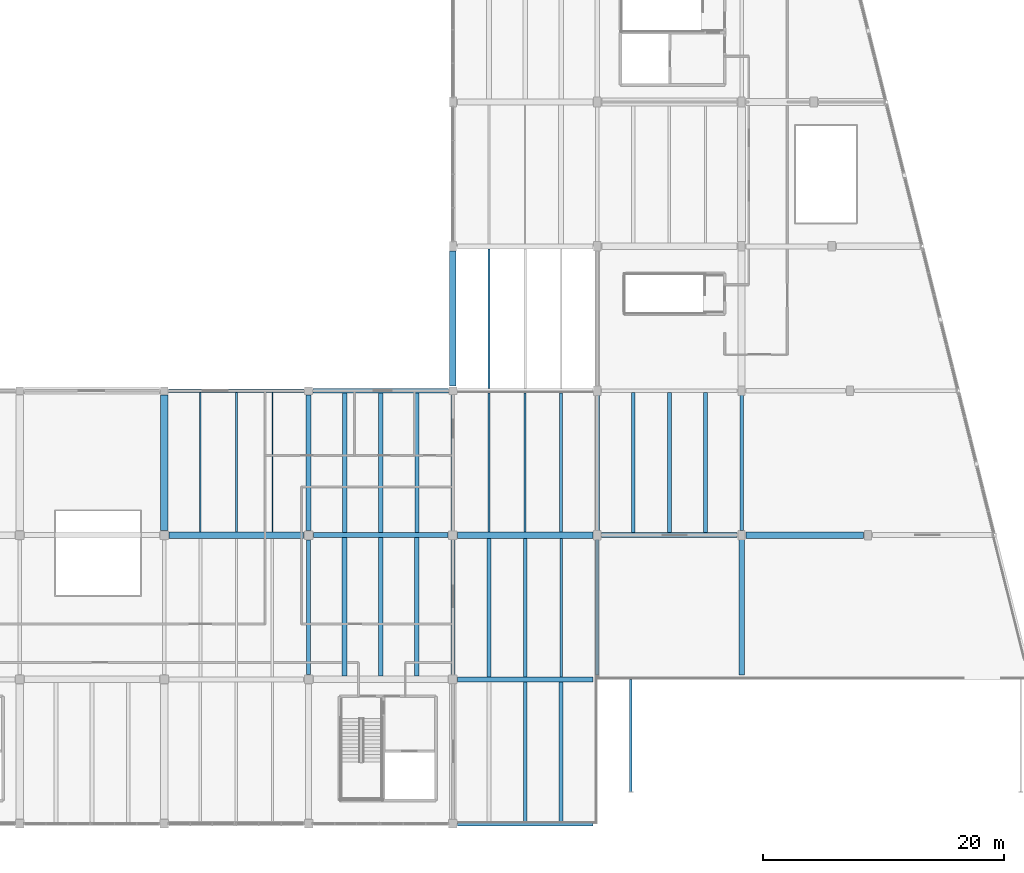
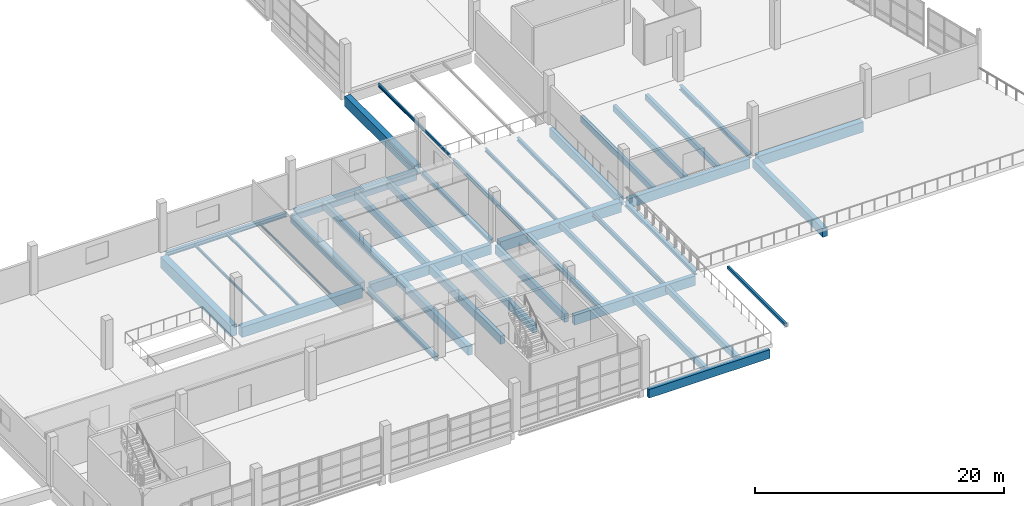
# One storey, part 17 of 49: 40 beams, 1 member.
"""IFC4 building model written with IfcOpenShell, lengths in metres."""

from ifc_helpers import new_model, si_unit, direction, frame, origin, origin_2d, place, context, subcontext, project, spatial, rectangle, hollow_rectangle, i_section, extrude, material, material_profile, profile_set, type_object, element, save


model = new_model("IFC4")

# Units and contexts
model_context = context("Model", 3, precision=1e-05, world=origin(), true_north=direction((0.0, 1.0)))
body_context = subcontext(model_context, "Body", "Model", "MODEL_VIEW")
ifc_project = project(units=[si_unit("LENGTHUNIT", "METRE"), si_unit("AREAUNIT", "SQUARE_METRE"), si_unit("VOLUMEUNIT", "CUBIC_METRE"), si_unit("PLANEANGLEUNIT", "RADIAN"), si_unit("MASSUNIT", "GRAM", prefix="KILO")], contexts=[model_context])

# Site, building, storey
site_placement = place(None, origin())
site = spatial("IfcSite", under=ifc_project, at=site_placement, CompositionType="ELEMENT")
building_placement = place(site_placement, origin())
building = spatial("IfcBuilding", under=site, at=building_placement, Name="Kamomehara Wholesale Market", CompositionType="ELEMENT")
storey_placement = place(building_placement, frame((0.0, 0.0, 11.39990234375)))
storey = spatial("IfcBuildingStorey", under=building, at=storey_placement, Name="L02", CompositionType="ELEMENT", Elevation=11.39990234375)

# Beams
ifc_material_1 = material(Name="Precast concrete Fc45 (C40/50)", Category="concrete")
ifc_material_profile_1 = material_profile(ifc_material_1, rectangle(XDim=0.60009765625, YDim=1.10009765625, at=origin_2d()), Name="PC-GRD-600x1100")
ifc_profile_set_1 = profile_set([ifc_material_profile_1], Name="Precast concrete Fc45 (C40/50)")
beam_type_1 = type_object("IfcBeamType", Name="BM-PG1100", PredefinedType="T_BEAM", material=ifc_profile_set_1)
beam_1_placement = place(storey_placement, frame((132.0, 36.39990234375, -0.891845703125), z_axis=(0.0, 1.0, 0.0), x_axis=(-1.0, 0.0, 0.0)))
element("IfcBeam", 1, at=beam_1_placement, inside=storey, type_object=beam_type_1, Name="Beam PG-07 L02", PredefinedType="T_BEAM", context=body_context, shape_type="SweptSolid", body=[
    extrude(rectangle(XDim=0.60009765625, YDim=1.10009765625, at=origin_2d()), origin(), (0.0, 0.0, 1.0), 11.22509765625),
])
ifc_material_2 = material(Name="Precast concrete Fc45 (C40/50)", Category="concrete")
ifc_material_profile_2 = material_profile(ifc_material_2, rectangle(XDim=0.449951171875, YDim=0.85009765625, at=origin_2d()), Name="PC-GRD-450x850")
ifc_profile_set_2 = profile_set([ifc_material_profile_2], Name="Precast concrete Fc45 (C40/50)")
beam_type_2 = type_object("IfcBeamType", Name="BM-PG850", PredefinedType="T_BEAM", material=ifc_profile_set_2)
beam_2_placement = place(storey_placement, frame((180.0, 24.35009765625, -0.761962890625), z_axis=(0.0, 1.0, 0.0), x_axis=(-1.0, 0.0, 0.0)))
element("IfcBeam", 2, at=beam_2_placement, inside=storey, type_object=beam_type_2, Name="Beam PG-11 L02", PredefinedType="T_BEAM", context=body_context, shape_type="SweptSolid", body=[
    extrude(rectangle(XDim=0.449951171875, YDim=0.85009765625, at=origin_2d()), origin(), (0.0, 0.0, 1.0), 11.27490234375),
])
beam_3_placement = place(storey_placement, frame((144.0, 36.39990234375, -0.77685546875), z_axis=(0.0, 1.0, 0.0), x_axis=(-1.0, 0.0, 0.0)))
element("IfcBeam", 3, at=beam_3_placement, inside=storey, type_object=beam_type_2, Name="Beam PG-11 L02", PredefinedType="T_BEAM", context=body_context, shape_type="SweptSolid", body=[
    extrude(rectangle(XDim=0.449951171875, YDim=0.85009765625, at=origin_2d()), origin(), (0.0, 0.0, 1.0), 11.22509765625),
])
ifc_material_3 = material(Name="Precast concrete Fc45 (C40/50)", Category="concrete")
ifc_material_profile_3 = material_profile(ifc_material_3, rectangle(XDim=0.280029296875, YDim=0.5, at=origin_2d()), Name="PC-JST-280x500")
ifc_profile_set_3 = profile_set([ifc_material_profile_3], Name="Precast concrete Fc45 (C40/50)")
beam_type_3 = type_object("IfcBeamType", Name="BM-PJ500", PredefinedType="JOIST", material=ifc_profile_set_3)
beam_4_placement = place(storey_placement, frame((162.0, 24.199951171875, -0.596923828125), z_axis=(0.0, 1.0, 0.0), x_axis=(-1.0, 0.0, 0.0)))
element("IfcBeam", 4, at=beam_4_placement, inside=storey, type_object=beam_type_3, Name="Beam PJ-11 L02", PredefinedType="JOIST", context=body_context, shape_type="SweptSolid", body=[
    extrude(rectangle(XDim=0.280029296875, YDim=0.5, at=origin_2d()), origin(), (0.0, 0.0, 1.0), 11.525146484375),
])
ifc_material_4 = material(Name="Precast concrete Fc45 (C40/50)", Category="concrete")
ifc_material_profile_4 = material_profile(ifc_material_4, rectangle(XDim=0.300048828125, YDim=0.550048828125, at=origin_2d()), Name="PC-JST-300x550")
ifc_profile_set_4 = profile_set([ifc_material_profile_4], Name="Precast concrete Fc45 (C40/50)")
beam_type_4 = type_object("IfcBeamType", Name="BM-PJ550", PredefinedType="JOIST", material=ifc_profile_set_4)
beam_5_placement = place(storey_placement, frame((159.0, 24.199951171875, -0.621826171875), z_axis=(0.0, 1.0, 0.0), x_axis=(-1.0, 0.0, 0.0)))
element("IfcBeam", 5, at=beam_5_placement, inside=storey, type_object=beam_type_4, Name="Beam PJ-06 L02", PredefinedType="JOIST", context=body_context, shape_type="SweptSolid", body=[
    extrude(rectangle(XDim=0.300048828125, YDim=0.550048828125, at=origin_2d()), origin(), (0.0, 0.0, 1.0), 11.525146484375),
])
beam_6_placement = place(storey_placement, frame((177.0, 36.199951171875, -0.616943359375), z_axis=(0.0, 1.0, 0.0), x_axis=(-1.0, 0.0, 0.0)))
element("IfcBeam", 6, at=beam_6_placement, inside=storey, type_object=beam_type_4, Name="Beam PJ-06 L02", PredefinedType="JOIST", context=body_context, shape_type="SweptSolid", body=[
    extrude(rectangle(XDim=0.300048828125, YDim=0.550048828125, at=origin_2d()), origin(), (0.0, 0.0, 1.0), 11.650146484375),
])
ifc_material_5 = material(Name="Precast concrete Fc45 (C40/50)", Category="concrete")
ifc_material_profile_5 = material_profile(ifc_material_5, rectangle(XDim=0.320068359375, YDim=0.60009765625, at=origin_2d()), Name="PC-JST-320x600")
ifc_profile_set_5 = profile_set([ifc_material_profile_5], Name="Precast concrete Fc45 (C40/50)")
beam_type_5 = type_object("IfcBeamType", Name="BM-PJ600", PredefinedType="JOIST", material=ifc_profile_set_5)
beam_7_placement = place(storey_placement, frame((165.0, 12.175048828125, -0.64697265625), z_axis=(0.0, 1.0, 0.0), x_axis=(-1.0, 0.0, 0.0)))
element("IfcBeam", 7, at=beam_7_placement, inside=storey, type_object=beam_type_5, Name="Beam PJ-05 L02", PredefinedType="JOIST", context=body_context, shape_type="SweptSolid", body=[
    extrude(rectangle(XDim=0.320068359375, YDim=0.60009765625, at=origin_2d()), origin(), (0.0, 0.0, 1.0), 11.625),
])
beam_8_placement = place(storey_placement, frame((174.0, 36.199951171875, -0.641845703125), z_axis=(0.0, 1.0, 0.0), x_axis=(-1.0, 0.0, 0.0)))
element("IfcBeam", 8, at=beam_8_placement, inside=storey, type_object=beam_type_5, Name="Beam PJ-05 L02", PredefinedType="JOIST", context=body_context, shape_type="SweptSolid", body=[
    extrude(rectangle(XDim=0.320068359375, YDim=0.60009765625, at=origin_2d()), origin(), (0.0, 0.0, 1.0), 11.650146484375),
])
ifc_material_6 = material(Name="Precast concrete Fc45 (C40/50)", Category="concrete")
ifc_material_profile_6 = material_profile(ifc_material_6, rectangle(XDim=0.300048828125, YDim=0.60009765625, at=origin_2d()), Name="PC-JST-300x600")
ifc_profile_set_6 = profile_set([ifc_material_profile_6], Name="Precast concrete Fc45 (C40/50)")
beam_type_6 = type_object("IfcBeamType", Name="BM-PJ600B", PredefinedType="JOIST", material=ifc_profile_set_6)
beam_9_placement = place(storey_placement, frame((162.0, 12.175048828125, -0.64697265625), z_axis=(0.0, 1.0, 0.0), x_axis=(-1.0, 0.0, 0.0)))
element("IfcBeam", 9, at=beam_9_placement, inside=storey, type_object=beam_type_6, Name="Beam PJ-10 L02", PredefinedType="JOIST", context=body_context, shape_type="SweptSolid", body=[
    extrude(rectangle(XDim=0.300048828125, YDim=0.60009765625, at=origin_2d()), origin(), (0.0, 0.0, 1.0), 11.625),
])
beam_10_placement = place(storey_placement, frame((171.0, 36.199951171875, -0.641845703125), z_axis=(0.0, 1.0, 0.0), x_axis=(-1.0, 0.0, 0.0)))
element("IfcBeam", 10, at=beam_10_placement, inside=storey, type_object=beam_type_6, Name="Beam PJ-10 L02", PredefinedType="JOIST", context=body_context, shape_type="SweptSolid", body=[
    extrude(rectangle(XDim=0.300048828125, YDim=0.60009765625, at=origin_2d()), origin(), (0.0, 0.0, 1.0), 11.650146484375),
])
ifc_material_7 = material(Name="Precast concrete Fc45 (C40/50)", Category="concrete")
ifc_material_profile_7 = material_profile(ifc_material_7, rectangle(XDim=0.340087890625, YDim=0.679931640625, at=origin_2d()), Name="PC-JST-340x680")
ifc_profile_set_7 = profile_set([ifc_material_profile_7], Name="Precast concrete Fc45 (C40/50)")
beam_type_7 = type_object("IfcBeamType", Name="BM-PJ680", PredefinedType="JOIST", material=ifc_profile_set_7)
beam_11_placement = place(storey_placement, frame((153.0, 36.199951171875, -0.69189453125), z_axis=(0.0, 1.0, 0.0), x_axis=(-1.0, 0.0, 0.0)))
element("IfcBeam", 11, at=beam_11_placement, inside=storey, type_object=beam_type_7, Name="Beam PJ-09 L02", PredefinedType="JOIST", context=body_context, shape_type="SweptSolid", body=[
    extrude(rectangle(XDim=0.340087890625, YDim=0.679931640625, at=origin_2d()), origin(), (0.0, 0.0, 1.0), 11.60009765625),
])
ifc_material_8 = material(Name="Precast concrete Fc45 (C40/50)", Category="concrete")
ifc_material_profile_8 = material_profile(ifc_material_8, rectangle(XDim=0.35009765625, YDim=0.699951171875, at=origin_2d()), Name="PC-JST-350x700")
ifc_profile_set_8 = profile_set([ifc_material_profile_8], Name="Precast concrete Fc45 (C40/50)")
beam_type_8 = type_object("IfcBeamType", Name="BM-PJ700", PredefinedType="JOIST", material=ifc_profile_set_8)
beam_12_placement = place(storey_placement, frame((150.0, 36.199951171875, -0.701904296875), z_axis=(0.0, 1.0, 0.0), x_axis=(-1.0, 0.0, 0.0)))
element("IfcBeam", 12, at=beam_12_placement, inside=storey, type_object=beam_type_8, Name="Beam PJ-03 L02", PredefinedType="JOIST", context=body_context, shape_type="SweptSolid", body=[
    extrude(rectangle(XDim=0.35009765625, YDim=0.699951171875, at=origin_2d()), origin(), (0.0, 0.0, 1.0), 11.60009765625),
])
ifc_material_9 = material(Name="Precast concrete Fc45 (C40/50)", Category="concrete")
ifc_material_profile_9 = material_profile(ifc_material_9, rectangle(XDim=0.360107421875, YDim=0.719970703125, at=origin_2d()), Name="PC-JST-360x720")
ifc_profile_set_9 = profile_set([ifc_material_profile_9], Name="Precast concrete Fc45 (C40/50)")
beam_type_9 = type_object("IfcBeamType", Name="BM-PJ720", PredefinedType="JOIST", material=ifc_profile_set_9)
beam_13_placement = place(storey_placement, frame((147.0, 36.199951171875, -0.7119140625), z_axis=(0.0, 1.0, 0.0), x_axis=(-1.0, 0.0, 0.0)))
element("IfcBeam", 13, at=beam_13_placement, inside=storey, type_object=beam_type_9, Name="Beam PJ-08 L02", PredefinedType="JOIST", context=body_context, shape_type="SweptSolid", body=[
    extrude(rectangle(XDim=0.360107421875, YDim=0.719970703125, at=origin_2d()), origin(), (0.0, 0.0, 1.0), 11.60009765625),
])
ifc_material_10 = material(Name="Precast concrete Fc45 (C40/50)", Category="concrete")
ifc_material_profile_10 = material_profile(ifc_material_10, rectangle(XDim=0.3798828125, YDim=0.75, at=origin_2d()), Name="PC-JST-380x750")
ifc_profile_set_10 = profile_set([ifc_material_profile_10], Name="Precast concrete Fc45 (C40/50)")
beam_type_10 = type_object("IfcBeamType", Name="BM-PJ750", PredefinedType="JOIST", material=ifc_profile_set_10)
beam_14_placement = place(storey_placement, frame((153.0, 24.27490234375, -0.726806640625), z_axis=(0.0, 1.0, 0.0), x_axis=(-1.0, 0.0, 0.0)))
element("IfcBeam", 14, at=beam_14_placement, inside=storey, type_object=beam_type_10, Name="Beam PJ-02 L02", PredefinedType="JOIST", context=body_context, shape_type="SweptSolid", body=[
    extrude(rectangle(XDim=0.3798828125, YDim=0.75, at=origin_2d()), origin(), (0.0, 0.0, 1.0), 11.525146484375),
])
ifc_material_11 = material(Name="Precast concrete Fc45 (C40/50)", Category="concrete")
ifc_material_profile_11 = material_profile(ifc_material_11, rectangle(XDim=0.39990234375, YDim=0.800048828125, at=origin_2d()), Name="PC-JST-400x800")
ifc_profile_set_11 = profile_set([ifc_material_profile_11], Name="Precast concrete Fc45 (C40/50)")
beam_type_11 = type_object("IfcBeamType", Name="BM-PJ800", PredefinedType="JOIST", material=ifc_profile_set_11)
beam_15_placement = place(storey_placement, frame((150.0, 24.27490234375, -0.751953125), z_axis=(0.0, 1.0, 0.0), x_axis=(-1.0, 0.0, 0.0)))
element("IfcBeam", 15, at=beam_15_placement, inside=storey, type_object=beam_type_11, Name="Beam PJ-01 L02", PredefinedType="JOIST", context=body_context, shape_type="SweptSolid", body=[
    extrude(rectangle(XDim=0.39990234375, YDim=0.800048828125, at=origin_2d()), origin(), (0.0, 0.0, 1.0), 11.525146484375),
])
ifc_material_12 = material(Name="Precast concrete Fc45 (C40/50)", Category="concrete")
ifc_material_profile_12 = material_profile(ifc_material_12, rectangle(XDim=0.419921875, YDim=0.840087890625, at=origin_2d()), Name="PC-JST-420x840")
ifc_profile_set_12 = profile_set([ifc_material_profile_12], Name="Precast concrete Fc45 (C40/50)")
beam_type_12 = type_object("IfcBeamType", Name="BM-PJ840", PredefinedType="JOIST", material=ifc_profile_set_12)
beam_16_placement = place(storey_placement, frame((147.0, 24.27490234375, -0.77197265625), z_axis=(0.0, 1.0, 0.0), x_axis=(-1.0, 0.0, 0.0)))
element("IfcBeam", 16, at=beam_16_placement, inside=storey, type_object=beam_type_12, Name="Beam PJ-07 L02", PredefinedType="JOIST", context=body_context, shape_type="SweptSolid", body=[
    extrude(rectangle(XDim=0.419921875, YDim=0.840087890625, at=origin_2d()), origin(), (0.0, 0.0, 1.0), 11.525146484375),
])
ifc_material_13 = material(Name="Concrete Fc36 (C35/45)", Category="concrete")
ifc_material_profile_13 = material_profile(ifc_material_13, rectangle(XDim=0.550048828125, YDim=1.0, at=origin_2d()), Name="RC-SEB-550x1000")
ifc_profile_set_13 = profile_set([ifc_material_profile_13], Name="Concrete Fc36 (C35/45)")
beam_type_13 = type_object("IfcBeamType", Name="BM-SEB1000-EXT", PredefinedType="SPANDREL", material=ifc_profile_set_13)
beam_17_placement = place(storey_placement, frame((132.39990234375, 36.0, -0.841796875), z_axis=(1.0, 0.0, 0.0), x_axis=(0.0, 1.0, 0.0)))
element("IfcBeam", 17, at=beam_17_placement, inside=storey, type_object=beam_type_13, Name="Beam SEB-03E L02", PredefinedType="SPANDREL", context=body_context, shape_type="SweptSolid", body=[
    extrude(rectangle(XDim=0.550048828125, YDim=1.0, at=origin_2d()), origin(), (0.0, 0.0, 1.0), 11.2001953125),
])
beam_18_placement = place(storey_placement, frame((156.39990234375, 36.0, -0.846923828125), z_axis=(1.0, 0.0, 0.0), x_axis=(0.0, 1.0, 0.0)))
element("IfcBeam", 18, at=beam_18_placement, inside=storey, type_object=beam_type_13, Name="Beam SEB-03E L02", PredefinedType="SPANDREL", context=body_context, shape_type="SweptSolid", body=[
    extrude(rectangle(XDim=0.550048828125, YDim=1.0, at=origin_2d()), origin(), (0.0, 0.0, 1.0), 11.25),
])
beam_19_placement = place(storey_placement, frame((180.375, 36.0, -0.841796875), z_axis=(1.0, 0.0, 0.0), x_axis=(0.0, 1.0, 0.0)))
element("IfcBeam", 19, at=beam_19_placement, inside=storey, type_object=beam_type_13, Name="Beam SEB-03E L02", PredefinedType="SPANDREL", context=body_context, shape_type="SweptSolid", body=[
    extrude(rectangle(XDim=0.550048828125, YDim=1.0, at=origin_2d()), origin(), (0.0, 0.0, 1.0), 9.75),
])
beam_20_placement = place(storey_placement, frame((156.0, 48.375, -0.760009765625), z_axis=(0.0, 1.0, 0.0), x_axis=(-1.0, 0.0, 0.0)))
element("IfcBeam", 20, at=beam_20_placement, inside=storey, type_object=beam_type_13, Name="Beam SEB-03E L02", PredefinedType="SPANDREL", context=body_context, shape_type="SweptSolid", body=[
    extrude(rectangle(XDim=0.550048828125, YDim=1.0, at=origin_2d()), origin(), (0.0, 0.0, 1.0), 11.25),
])
ifc_material_14 = material(Name="Precast concrete Fc45 (C40/50)", Category="concrete")
ifc_material_profile_14 = material_profile(ifc_material_14, rectangle(XDim=0.35009765625, YDim=0.85009765625, at=origin_2d()), Name="PC-SPN-350x850")
ifc_profile_set_14 = profile_set([ifc_material_profile_14], Name="Precast concrete Fc45 (C40/50)")
beam_type_14 = type_object("IfcBeamType", Name="BM-SPN850-EXT", PredefinedType="SPANDREL", material=ifc_profile_set_14)
beam_21_placement = place(storey_placement, frame((156.39990234375, 12.0, -0.77197265625), z_axis=(1.0, 0.0, 0.0), x_axis=(0.0, 1.0, 0.0)))
element("IfcBeam", 21, at=beam_21_placement, inside=storey, type_object=beam_type_14, Name="Beam SPN-02E L02", PredefinedType="SPANDREL", context=body_context, shape_type="SweptSolid", body=[
    extrude(rectangle(XDim=0.35009765625, YDim=0.85009765625, at=origin_2d()), origin(), (0.0, 0.0, 1.0), 11.25),
])
beam_22_placement = place(storey_placement, frame((156.0, 24.39990234375, -0.77685546875), z_axis=(0.0, 1.0, 0.0), x_axis=(-1.0, 0.0, 0.0)))
element("IfcBeam", 22, at=beam_22_placement, inside=storey, type_object=beam_type_14, Name="Beam SPN-02E L02", PredefinedType="SPANDREL", context=body_context, shape_type="SweptSolid", body=[
    extrude(rectangle(XDim=0.35009765625, YDim=0.85009765625, at=origin_2d()), origin(), (0.0, 0.0, 1.0), 11.2001953125),
])
beam_23_placement = place(storey_placement, frame((168.0, 36.35009765625, -0.77197265625), z_axis=(0.0, 1.0, 0.0), x_axis=(-1.0, 0.0, 0.0)))
element("IfcBeam", 23, at=beam_23_placement, inside=storey, type_object=beam_type_14, Name="Beam SPN-02E L02", PredefinedType="SPANDREL", context=body_context, shape_type="SweptSolid", body=[
    extrude(rectangle(XDim=0.35009765625, YDim=0.85009765625, at=origin_2d()), origin(), (0.0, 0.0, 1.0), 11.2998046875),
])
ifc_material_15 = material(Name="Precast concrete Fc45 (C40/50)", Category="concrete")
ifc_material_profile_15 = material_profile(ifc_material_15, rectangle(XDim=0.39990234375, YDim=0.949951171875, at=origin_2d()), Name="PC-SPN-400x950")
ifc_profile_set_15 = profile_set([ifc_material_profile_15], Name="Precast concrete Fc45 (C40/50)")
beam_type_15 = type_object("IfcBeamType", Name="BM-SPN950-EXT", PredefinedType="SPANDREL", material=ifc_profile_set_15)
beam_24_placement = place(storey_placement, frame((156.39990234375, 24.0, -0.822021484375), z_axis=(1.0, 0.0, 0.0), x_axis=(0.0, 1.0, 0.0)))
element("IfcBeam", 24, at=beam_24_placement, inside=storey, type_object=beam_type_15, Name="Beam SPN-01E L02", PredefinedType="SPANDREL", context=body_context, shape_type="SweptSolid", body=[
    extrude(rectangle(XDim=0.39990234375, YDim=0.949951171875, at=origin_2d()), origin(), (0.0, 0.0, 1.0), 11.25),
])
beam_25_placement = place(storey_placement, frame((144.39990234375, 36.0, -0.826904296875), z_axis=(1.0, 0.0, 0.0), x_axis=(0.0, 1.0, 0.0)))
element("IfcBeam", 25, at=beam_25_placement, inside=storey, type_object=beam_type_15, Name="Beam SPN-01E L02", PredefinedType="SPANDREL", context=body_context, shape_type="SweptSolid", body=[
    extrude(rectangle(XDim=0.39990234375, YDim=0.949951171875, at=origin_2d()), origin(), (0.0, 0.0, 1.0), 11.2001953125),
])
beam_26_placement = place(storey_placement, frame((168.35009765625, 36.0, -0.81689453125), z_axis=(1.0, 0.0, 0.0), x_axis=(0.0, 1.0, 0.0)))
element("IfcBeam", 26, at=beam_26_placement, inside=storey, type_object=beam_type_15, Name="Beam SPN-01E L02", PredefinedType="SPANDREL", context=body_context, shape_type="SweptSolid", body=[
    extrude(rectangle(XDim=0.39990234375, YDim=0.949951171875, at=origin_2d()), origin(), (0.0, 0.0, 1.0), 11.27490234375),
])
beam_27_placement = place(storey_placement, frame((144.375, 48.0, -0.826904296875), z_axis=(1.0, 0.0, 0.0), x_axis=(0.0, 1.0, 0.0)))
element("IfcBeam", 27, at=beam_27_placement, inside=storey, type_object=beam_type_15, Name="Beam SPN-01E L02", PredefinedType="SPANDREL", context=body_context, shape_type="SweptSolid", body=[
    extrude(rectangle(XDim=0.39990234375, YDim=0.949951171875, at=origin_2d()), origin(), (0.0, 0.0, 1.0), 11.25),
])
ifc_material_16 = material(Name="Steel SN400B", Category="steel")
ifc_material_profile_16 = material_profile(ifc_material_16, i_section(OverallWidth=0.10009765625, OverallDepth=0.199951171875, WebThickness=0.005615234375, FlangeThickness=0.008056640625, FilletRadius=0.008056640625, at=origin_2d()), Name="H-200x100x5.5x8")
ifc_profile_set_16 = profile_set([ifc_material_profile_16], Name="Steel SN400B")
beam_type_16 = type_object("IfcBeamType", Name="BM-ST-H200", PredefinedType="LINTEL", material=ifc_profile_set_16)
beam_28_placement = place(storey_placement, frame((141.0, 36.27490234375, -0.44189453125), z_axis=(0.0, 1.0, 0.0), x_axis=(-1.0, 0.0, 0.0)))
element("IfcBeam", 28, at=beam_28_placement, inside=storey, type_object=beam_type_16, Name="Beam SJ-07 L02", PredefinedType="LINTEL", context=body_context, shape_type="SweptSolid", body=[
    extrude(i_section(OverallWidth=0.10009765625, OverallDepth=0.199951171875, WebThickness=0.005615234375, FlangeThickness=0.008056640625, FilletRadius=0.008056640625, at=origin_2d()), origin(), (0.0, 0.0, 1.0), 11.5751953125),
])
ifc_material_17 = material(Name="Steel SN400B", Category="steel")
ifc_material_profile_17 = material_profile(ifc_material_17, i_section(OverallWidth=0.175048828125, OverallDepth=0.243896484375, WebThickness=0.007080078125, FlangeThickness=0.010986328125, FilletRadius=0.010986328125, at=origin_2d()), Name="H-244x175x7x11")
ifc_profile_set_17 = profile_set([ifc_material_profile_17], Name="Steel SN400B")
beam_type_17 = type_object("IfcBeamType", Name="BM-ST-H244", PredefinedType="JOIST", material=ifc_profile_set_17)
beam_29_placement = place(storey_placement, frame((138.0, 36.27490234375, -0.4638671875), z_axis=(0.0, 1.0, 0.0), x_axis=(-1.0, 0.0, 0.0)))
element("IfcBeam", 29, at=beam_29_placement, inside=storey, type_object=beam_type_17, Name="Beam SJ-10 L02", PredefinedType="JOIST", context=body_context, shape_type="SweptSolid", body=[
    extrude(i_section(OverallWidth=0.175048828125, OverallDepth=0.243896484375, WebThickness=0.007080078125, FlangeThickness=0.010986328125, FilletRadius=0.010986328125, at=origin_2d()), origin(), (0.0, 0.0, 1.0), 11.5751953125),
])
ifc_material_18 = material(Name="Steel SN400B", Category="steel")
ifc_material_profile_18 = material_profile(ifc_material_18, i_section(OverallWidth=0.125, OverallDepth=0.25, WebThickness=0.006103515625, FlangeThickness=0.009033203125, FilletRadius=0.008056640625, at=origin_2d()), Name="H-250x125x6x9")
ifc_profile_set_18 = profile_set([ifc_material_profile_18], Name="Steel SN400B")
beam_type_18 = type_object("IfcBeamType", Name="BM-ST-H250", PredefinedType="JOIST", material=ifc_profile_set_18)
beam_30_placement = place(storey_placement, frame((135.0, 36.27490234375, -0.466796875), z_axis=(0.0, 1.0, 0.0), x_axis=(-1.0, 0.0, 0.0)))
element("IfcBeam", 30, at=beam_30_placement, inside=storey, type_object=beam_type_18, Name="Beam SJ-06 L02", PredefinedType="JOIST", context=body_context, shape_type="SweptSolid", body=[
    extrude(i_section(OverallWidth=0.125, OverallDepth=0.25, WebThickness=0.006103515625, FlangeThickness=0.009033203125, FilletRadius=0.008056640625, at=origin_2d()), origin(), (0.0, 0.0, 1.0), 11.5751953125),
])
ifc_material_19 = material(Name="Steel SN400B", Category="steel")
ifc_material_profile_19 = material_profile(ifc_material_19, i_section(OverallWidth=0.14990234375, OverallDepth=0.300048828125, WebThickness=0.006591796875, FlangeThickness=0.009033203125, FilletRadius=0.012939453125, at=origin_2d()), Name="H-300x150x6.5x9")
ifc_profile_set_19 = profile_set([ifc_material_profile_19], Name="Steel SN400B")
beam_type_19 = type_object("IfcBeamType", Name="BM-ST-H300", PredefinedType="JOIST", material=ifc_profile_set_19)
beam_31_placement = place(storey_placement, frame((159.0, 48.175048828125, -0.409912109375), z_axis=(0.0, 1.0, 0.0), x_axis=(-1.0, 0.0, 0.0)))
element("IfcBeam", 31, at=beam_31_placement, inside=storey, type_object=beam_type_19, Name="Beam SJ-05 L02", PredefinedType="JOIST", context=body_context, shape_type="SweptSolid", body=[
    extrude(i_section(OverallWidth=0.14990234375, OverallDepth=0.300048828125, WebThickness=0.006591796875, FlangeThickness=0.009033203125, FilletRadius=0.012939453125, at=origin_2d()), origin(), (0.0, 0.0, 1.0), 11.625),
])
ifc_material_20 = material(Name="Steel SN490B", Category="steel")
ifc_material_profile_20 = material_profile(ifc_material_20, i_section(OverallWidth=0.25, OverallDepth=0.340087890625, WebThickness=0.009033203125, FlangeThickness=0.013916015625, FilletRadius=0.012939453125, at=origin_2d()), Name="H-340x250x9x14")
ifc_profile_set_20 = profile_set([ifc_material_profile_20], Name="Steel SN490B")
beam_type_20 = type_object("IfcBeamType", Name="BM-ST-H340", PredefinedType="JOIST", material=ifc_profile_set_20)
beam_32_placement = place(storey_placement, frame((165.0, 36.27490234375, -0.516845703125), z_axis=(0.0, 1.0, 0.0), x_axis=(-1.0, 0.0, 0.0)))
element("IfcBeam", 32, at=beam_32_placement, inside=storey, type_object=beam_type_20, Name="Beam SJ-08 L02", PredefinedType="JOIST", context=body_context, shape_type="SweptSolid", body=[
    extrude(i_section(OverallWidth=0.25, OverallDepth=0.340087890625, WebThickness=0.009033203125, FlangeThickness=0.013916015625, FilletRadius=0.012939453125, at=origin_2d()), origin(), (0.0, 0.0, 1.0), 11.550048828125),
])
ifc_material_21 = material(Name="Steel SN400B", Category="steel")
ifc_material_profile_21 = material_profile(ifc_material_21, i_section(OverallWidth=0.175048828125, OverallDepth=0.35009765625, WebThickness=0.007080078125, FlangeThickness=0.010986328125, FilletRadius=0.012939453125, at=origin_2d()), Name="H-350x175x7x11")
ifc_profile_set_21 = profile_set([ifc_material_profile_21], Name="Steel SN400B")
beam_type_21 = type_object("IfcBeamType", Name="BM-ST-H350", PredefinedType="JOIST", material=ifc_profile_set_21)
beam_33_placement = place(storey_placement, frame((162.0, 36.27490234375, -0.52197265625), z_axis=(0.0, 1.0, 0.0), x_axis=(-1.0, 0.0, 0.0)))
element("IfcBeam", 33, at=beam_33_placement, inside=storey, type_object=beam_type_21, Name="Beam SJ-04 L02", PredefinedType="JOIST", context=body_context, shape_type="SweptSolid", body=[
    extrude(i_section(OverallWidth=0.175048828125, OverallDepth=0.35009765625, WebThickness=0.007080078125, FlangeThickness=0.010986328125, FilletRadius=0.012939453125, at=origin_2d()), origin(), (0.0, 0.0, 1.0), 11.550048828125),
])
ifc_material_22 = material(Name="Steel SN490B", Category="steel")
ifc_material_profile_22 = material_profile(ifc_material_22, i_section(OverallWidth=0.300048828125, OverallDepth=0.389892578125, WebThickness=0.010009765625, FlangeThickness=0.01611328125, FilletRadius=0.01806640625, at=origin_2d()), Name="H-390x300x10x16")
ifc_profile_set_22 = profile_set([ifc_material_profile_22], Name="Steel SN490B")
beam_type_22 = type_object("IfcBeamType", Name="BM-ST-H390-EXT", PredefinedType="SPANDREL", material=ifc_profile_set_22)
beam_34_placement = place(storey_placement, frame((168.0, 24.35009765625, -0.5419921875), z_axis=(0.0, 1.0, 0.0), x_axis=(-1.0, 0.0, 0.0)))
element("IfcBeam", 34, at=beam_34_placement, inside=storey, type_object=beam_type_22, Name="Beam SJ-03E L02", PredefinedType="SPANDREL", context=body_context, shape_type="SweptSolid", body=[
    extrude(i_section(OverallWidth=0.300048828125, OverallDepth=0.389892578125, WebThickness=0.010009765625, FlangeThickness=0.01611328125, FilletRadius=0.01806640625, at=origin_2d()), origin(), (0.0, 0.0, 1.0), 11.2998046875),
])
beam_35_placement = place(storey_placement, frame((156.0, 36.39990234375, -0.546875), z_axis=(0.0, 1.0, 0.0), x_axis=(-1.0, 0.0, 0.0)))
element("IfcBeam", 35, at=beam_35_placement, inside=storey, type_object=beam_type_22, Name="Beam SJ-03E L02", PredefinedType="SPANDREL", context=body_context, shape_type="SweptSolid", body=[
    extrude(i_section(OverallWidth=0.300048828125, OverallDepth=0.389892578125, WebThickness=0.010009765625, FlangeThickness=0.01611328125, FilletRadius=0.01806640625, at=origin_2d()), origin(), (0.0, 0.0, 1.0), 11.22509765625),
])
beam_36_placement = place(storey_placement, frame((132.375, 48.0, -0.536865234375), z_axis=(1.0, 0.0, 0.0), x_axis=(0.0, 1.0, 0.0)))
element("IfcBeam", 36, at=beam_36_placement, inside=storey, type_object=beam_type_22, Name="Beam SJ-03E L02", PredefinedType="SPANDREL", context=body_context, shape_type="SweptSolid", body=[
    extrude(i_section(OverallWidth=0.300048828125, OverallDepth=0.389892578125, WebThickness=0.010009765625, FlangeThickness=0.01611328125, FilletRadius=0.01806640625, at=origin_2d()), origin(), (0.0, 0.0, 1.0), 11.25),
])
ifc_material_23 = material(Name="Steel SN400B", Category="steel")
ifc_material_profile_23 = material_profile(ifc_material_23, i_section(OverallWidth=0.199951171875, OverallDepth=0.39990234375, WebThickness=0.008056640625, FlangeThickness=0.012939453125, FilletRadius=0.012939453125, at=origin_2d()), Name="H-400x200x8x13")
ifc_profile_set_23 = profile_set([ifc_material_profile_23], Name="Steel SN400B")
beam_type_23 = type_object("IfcBeamType", Name="BM-ST-H400", PredefinedType="JOIST", material=ifc_profile_set_23)
beam_37_placement = place(storey_placement, frame((159.0, 36.27490234375, -0.546875), z_axis=(0.0, 1.0, 0.0), x_axis=(-1.0, 0.0, 0.0)))
element("IfcBeam", 37, at=beam_37_placement, inside=storey, type_object=beam_type_23, Name="Beam SJ-02 L02", PredefinedType="JOIST", context=body_context, shape_type="SweptSolid", body=[
    extrude(i_section(OverallWidth=0.199951171875, OverallDepth=0.39990234375, WebThickness=0.008056640625, FlangeThickness=0.012939453125, FilletRadius=0.012939453125, at=origin_2d()), origin(), (0.0, 0.0, 1.0), 11.550048828125),
])
ifc_material_24 = material(Name="Steel SN490B", Category="steel")
ifc_material_profile_24 = material_profile(ifc_material_24, i_section(OverallWidth=0.300048828125, OverallDepth=0.43994140625, WebThickness=0.010986328125, FlangeThickness=0.01806640625, FilletRadius=0.01806640625, at=origin_2d()), Name="H-440x300x11x18")
ifc_profile_set_24 = profile_set([ifc_material_profile_24], Name="Steel SN490B")
beam_type_24 = type_object("IfcBeamType", Name="BM-ST-H440", PredefinedType="BEAM", material=ifc_profile_set_24)
beam_38_placement = place(storey_placement, frame((144.0, 24.39990234375, -0.572021484375), z_axis=(0.0, 1.0, 0.0), x_axis=(-1.0, 0.0, 0.0)))
element("IfcBeam", 38, at=beam_38_placement, inside=storey, type_object=beam_type_24, Name="Beam SG-11 L02", PredefinedType="BEAM", context=body_context, shape_type="SweptSolid", body=[
    extrude(i_section(OverallWidth=0.300048828125, OverallDepth=0.43994140625, WebThickness=0.010986328125, FlangeThickness=0.01806640625, FilletRadius=0.01806640625, at=origin_2d()), origin(), (0.0, 0.0, 1.0), 11.2001953125),
])
beam_39_placement = place(storey_placement, frame((180.0, 36.375, -0.56201171875), z_axis=(0.0, 1.0, 0.0), x_axis=(-1.0, 0.0, 0.0)))
element("IfcBeam", 39, at=beam_39_placement, inside=storey, type_object=beam_type_24, Name="Beam SG-11 L02", PredefinedType="BEAM", context=body_context, shape_type="SweptSolid", body=[
    extrude(i_section(OverallWidth=0.300048828125, OverallDepth=0.43994140625, WebThickness=0.010986328125, FlangeThickness=0.01806640625, FilletRadius=0.01806640625, at=origin_2d()), origin(), (0.0, 0.0, 1.0), 11.25),
])
ifc_material_25 = material(Name="Steel SN400B", Category="steel")
ifc_material_profile_25 = material_profile(ifc_material_25, i_section(OverallWidth=0.199951171875, OverallDepth=0.449951171875, WebThickness=0.009033203125, FlangeThickness=0.013916015625, FilletRadius=0.012939453125, at=origin_2d()), Name="H-450x200x9x14")
ifc_profile_set_25 = profile_set([ifc_material_profile_25], Name="Steel SN400B")
beam_type_25 = type_object("IfcBeamType", Name="BM-ST-H450", PredefinedType="JOIST", material=ifc_profile_set_25)
beam_40_placement = place(storey_placement, frame((165.0, 24.199951171875, -0.572021484375), z_axis=(0.0, 1.0, 0.0), x_axis=(-1.0, 0.0, 0.0)))
element("IfcBeam", 40, at=beam_40_placement, inside=storey, type_object=beam_type_25, Name="Beam SJ-01 L02", PredefinedType="JOIST", context=body_context, shape_type="SweptSolid", body=[
    extrude(i_section(OverallWidth=0.199951171875, OverallDepth=0.449951171875, WebThickness=0.009033203125, FlangeThickness=0.013916015625, FilletRadius=0.012939453125, at=origin_2d()), origin(), (0.0, 0.0, 1.0), 11.525146484375),
])

# Member
ifc_material_26 = material(Name="Steel SN490B", Category="steel")
ifc_material_profile_26 = material_profile(ifc_material_26, hollow_rectangle(XDim=0.199951171875, YDim=0.300048828125, WallThickness=0.011962890625, at=origin_2d()), Name="RHS-300x200x12")
ifc_profile_set_26 = profile_set([ifc_material_profile_26], Name="Steel SN490B")
member_type = type_object("IfcMemberType", Name="MEM-ST-RHS300x200", PredefinedType="STRUT", material=ifc_profile_set_26)
member_placement = place(storey_placement, frame((170.800048828125, 14.625, -0.75), z_axis=(0.0, 1.0, 0.0), x_axis=(-1.0, 0.0, 0.0)))
element("IfcMember", 41, at=member_placement, inside=storey, type_object=member_type, Name="Blade wall tie strut L02 1", PredefinedType="STRUT", context=body_context, shape_type="SweptSolid", body=[
    extrude(hollow_rectangle(XDim=0.199951171875, YDim=0.300048828125, WallThickness=0.011962890625, at=origin_2d()), origin(), (0.0, 0.0, 1.0), 9.375),
])

save(model, "model.ifc")
